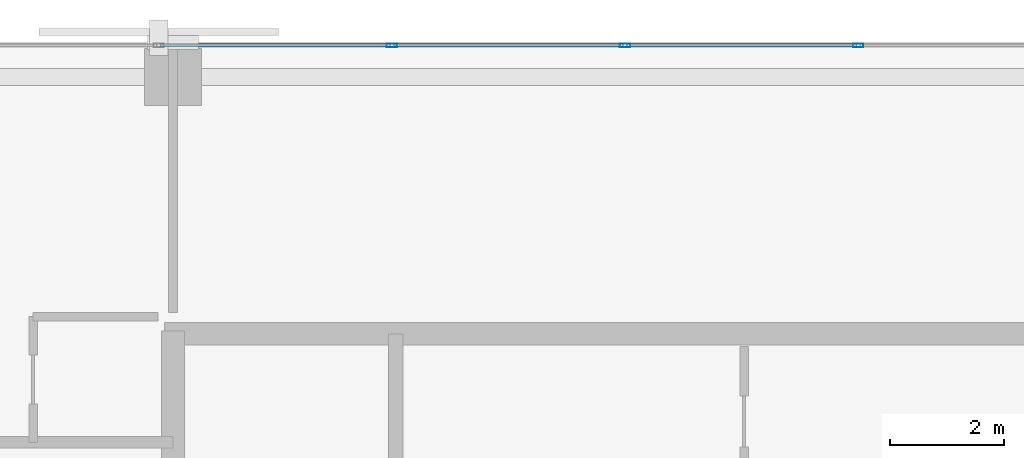
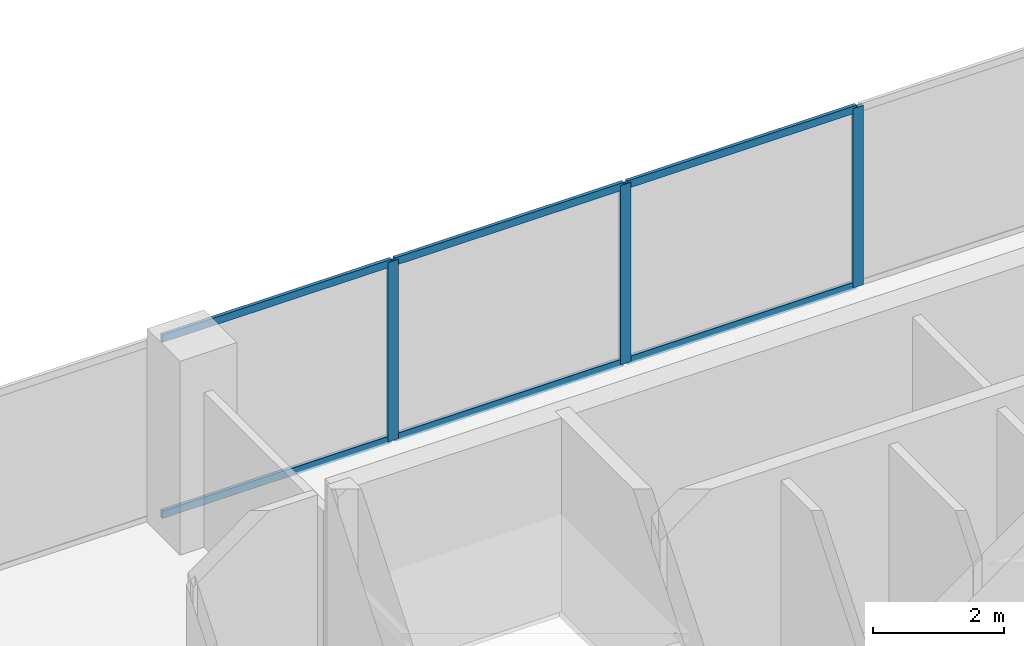
# One storey, part 21 of 31: 9 members, 1 element without a shape of its own.
"""IFC4 building model written with IfcOpenShell, lengths in metres."""

from ifc_helpers import new_model, si_unit, direction, frame, origin, origin_2d, place, context, subcontext, project, spatial, hollow_rectangle, extrude, material, layer, layer_set, material_profile, profile_set, type_object, element, aggregate, save


model = new_model("IFC4")

# Units and contexts
model_context = context("Model", 3, precision=1e-05, world=origin(), true_north=direction((0.0, 1.0)))
body_context = subcontext(model_context, "Body", "Model", "MODEL_VIEW")
ifc_project = project(units=[si_unit("LENGTHUNIT", "METRE"), si_unit("AREAUNIT", "SQUARE_METRE"), si_unit("VOLUMEUNIT", "CUBIC_METRE"), si_unit("PLANEANGLEUNIT", "RADIAN"), si_unit("MASSUNIT", "GRAM", prefix="KILO")], contexts=[model_context])

# Site, building, storey
site_placement = place(None, origin())
site = spatial("IfcSite", under=ifc_project, at=site_placement, CompositionType="ELEMENT")
building_placement = place(site_placement, origin())
building = spatial("IfcBuilding", under=site, at=building_placement, Name="Catumbela Crestline Tower", CompositionType="ELEMENT")
storey_placement = place(building_placement, frame((0.0, 0.0, 25.8)))
storey = spatial("IfcBuildingStorey", under=building, at=storey_placement, Name="L05", CompositionType="ELEMENT", Elevation=25.8)

# Curtain wall, members
ifc_material = material(Name="Aluminium alloy AW-6060-T66", Category="aluminium")
ifc_layer = layer(ifc_material, 0.18, Name="Aluminium alloy AW-6060-T66")
ifc_layer_set = layer_set([ifc_layer], Name="Aluminium alloy AW-6060-T66")
curtain_wall_type = type_object("IfcCurtainWallType", Name="CWU-Z1", PredefinedType="USERDEFINED", material=ifc_layer_set)
curtain_wall_placement = place(storey_placement, origin())
curtain_wall = element("IfcCurtainWall", 1, at=curtain_wall_placement, inside=storey, type_object=curtain_wall_type, Name="L05 Unitised Curtain Wall CW-L05-E7S1", ObjectType="UNITISED", PredefinedType="USERDEFINED")
ifc_material_profile_1 = material_profile(ifc_material, hollow_rectangle(XDim=0.065, YDim=0.18, WallThickness=0.004, at=origin_2d()), Name="ALU 180x65x4")
ifc_profile_set_1 = profile_set([ifc_material_profile_1], Name="Aluminium alloy AW-6060-T66")
member_type_1 = type_object("IfcMemberType", Name="MUL-180X65", PredefinedType="MULLION", material=ifc_profile_set_1)
member_1_placement = place(storey_placement, frame((28.0, 47.95, 0.0), z_axis=(0.0, 0.0, 1.0), x_axis=(0.0, -1.0, 0.0)))
member_1 = element("IfcMember", 2, at=member_1_placement, type_object=member_type_1, Name="CWU-Z1 mullion 7", PredefinedType="MULLION", context=body_context, shape_type="SweptSolid", body=[
    extrude(hollow_rectangle(XDim=0.065, YDim=0.18, WallThickness=0.004, at=origin_2d()), origin(), (0.0, 0.0, 1.0), 3.33),
])
member_2_placement = place(storey_placement, frame((23.9167, 47.95, 0.0), z_axis=(0.0, 0.0, 1.0), x_axis=(0.0, -1.0, 0.0)))
member_2 = element("IfcMember", 3, at=member_2_placement, type_object=member_type_1, Name="CWU-Z1 mullion 8", PredefinedType="MULLION", context=body_context, shape_type="SweptSolid", body=[
    extrude(hollow_rectangle(XDim=0.065, YDim=0.18, WallThickness=0.004, at=origin_2d()), origin(), (0.0, 0.0, 1.0), 3.33),
])
member_3_placement = place(storey_placement, frame((19.8333, 47.95, 0.0), z_axis=(0.0, 0.0, 1.0), x_axis=(0.0, -1.0, 0.0)))
member_3 = element("IfcMember", 4, at=member_3_placement, type_object=member_type_1, Name="CWU-Z1 mullion 9", PredefinedType="MULLION", context=body_context, shape_type="SweptSolid", body=[
    extrude(hollow_rectangle(XDim=0.065, YDim=0.18, WallThickness=0.004, at=origin_2d()), origin(), (0.0, 0.0, 1.0), 3.33),
])
ifc_material_profile_2 = material_profile(ifc_material, hollow_rectangle(XDim=0.06, YDim=0.14, WallThickness=0.004, at=origin_2d()), Name="ALU 140x60x4")
ifc_profile_set_2 = profile_set([ifc_material_profile_2], Name="Aluminium alloy AW-6060-T66")
member_type_2 = type_object("IfcMemberType", Name="TRN-140X60", PredefinedType="USERDEFINED", material=ifc_profile_set_2)
member_4_placement = place(storey_placement, frame((27.9675, 47.95, 0.03), z_axis=(-1.0, 0.0, 0.0), x_axis=(0.0, -1.0, 0.0)))
member_4 = element("IfcMember", 5, at=member_4_placement, type_object=member_type_2, Name="CWU-Z1 transom 7.1", ObjectType="TRANSOM", PredefinedType="USERDEFINED", context=body_context, shape_type="SweptSolid", body=[
    extrude(hollow_rectangle(XDim=0.06, YDim=0.14, WallThickness=0.004, at=origin_2d()), origin(), (0.0, 0.0, 1.0), 4.0183),
])
member_5_placement = place(storey_placement, frame((27.9675, 47.95, 3.3), z_axis=(-1.0, 0.0, 0.0), x_axis=(0.0, -1.0, 0.0)))
member_5 = element("IfcMember", 6, at=member_5_placement, type_object=member_type_2, Name="CWU-Z1 transom 7.2", ObjectType="TRANSOM", PredefinedType="USERDEFINED", context=body_context, shape_type="SweptSolid", body=[
    extrude(hollow_rectangle(XDim=0.06, YDim=0.14, WallThickness=0.004, at=origin_2d()), origin(), (0.0, 0.0, 1.0), 4.0183),
])
member_6_placement = place(storey_placement, frame((23.8842, 47.95, 0.03), z_axis=(-1.0, 0.0, 0.0), x_axis=(0.0, -1.0, 0.0)))
member_6 = element("IfcMember", 7, at=member_6_placement, type_object=member_type_2, Name="CWU-Z1 transom 8.1", ObjectType="TRANSOM", PredefinedType="USERDEFINED", context=body_context, shape_type="SweptSolid", body=[
    extrude(hollow_rectangle(XDim=0.06, YDim=0.14, WallThickness=0.004, at=origin_2d()), origin(), (0.0, 0.0, 1.0), 4.0184),
])
member_7_placement = place(storey_placement, frame((23.8842, 47.95, 3.3), z_axis=(-1.0, 0.0, 0.0), x_axis=(0.0, -1.0, 0.0)))
member_7 = element("IfcMember", 8, at=member_7_placement, type_object=member_type_2, Name="CWU-Z1 transom 8.2", ObjectType="TRANSOM", PredefinedType="USERDEFINED", context=body_context, shape_type="SweptSolid", body=[
    extrude(hollow_rectangle(XDim=0.06, YDim=0.14, WallThickness=0.004, at=origin_2d()), origin(), (0.0, 0.0, 1.0), 4.0184),
])
member_8_placement = place(storey_placement, frame((19.8008, 47.95, 0.03), z_axis=(-1.0, 0.0, 0.0), x_axis=(0.0, -1.0, 0.0)))
member_8 = element("IfcMember", 9, at=member_8_placement, type_object=member_type_2, Name="CWU-Z1 transom 9.1", ObjectType="TRANSOM", PredefinedType="USERDEFINED", context=body_context, shape_type="SweptSolid", body=[
    extrude(hollow_rectangle(XDim=0.06, YDim=0.14, WallThickness=0.004, at=origin_2d()), origin(), (0.0, 0.0, 1.0), 4.0183),
])
member_9_placement = place(storey_placement, frame((19.8008, 47.95, 3.3), z_axis=(-1.0, 0.0, 0.0), x_axis=(0.0, -1.0, 0.0)))
member_9 = element("IfcMember", 10, at=member_9_placement, type_object=member_type_2, Name="CWU-Z1 transom 9.2", ObjectType="TRANSOM", PredefinedType="USERDEFINED", context=body_context, shape_type="SweptSolid", body=[
    extrude(hollow_rectangle(XDim=0.06, YDim=0.14, WallThickness=0.004, at=origin_2d()), origin(), (0.0, 0.0, 1.0), 4.0183),
])
aggregate(curtain_wall, [member_1, member_2, member_3, member_4, member_5, member_6, member_7, member_8, member_9])

save(model, "model.ifc")
